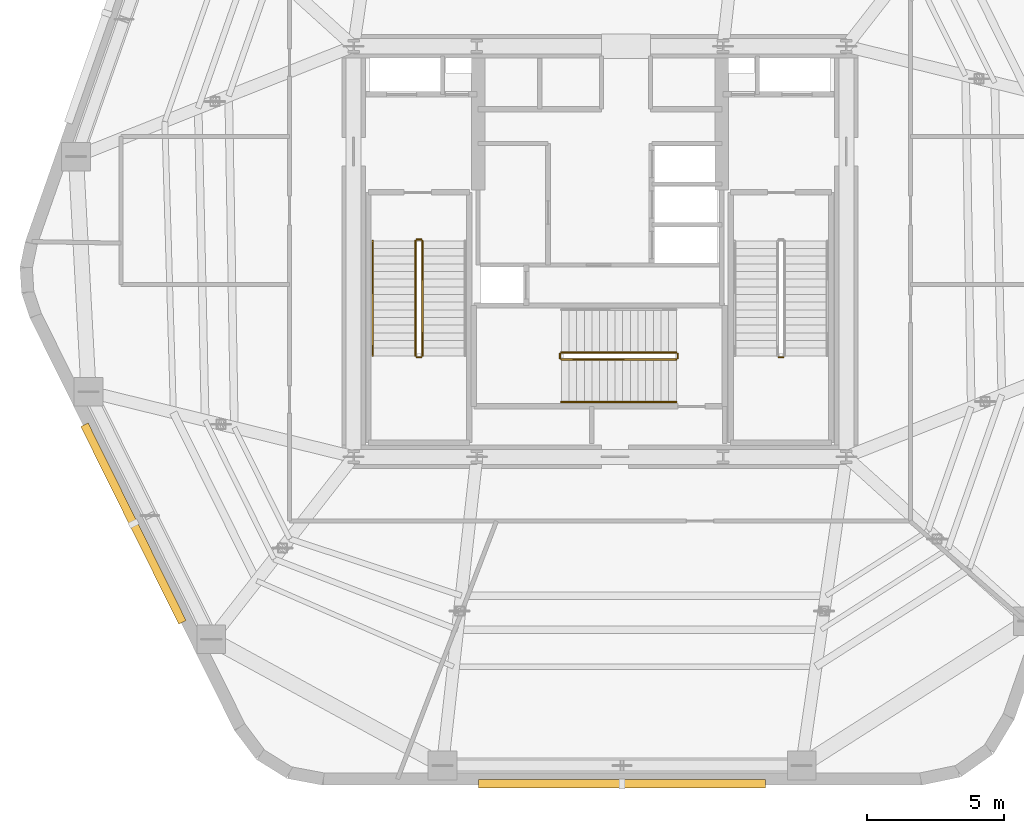
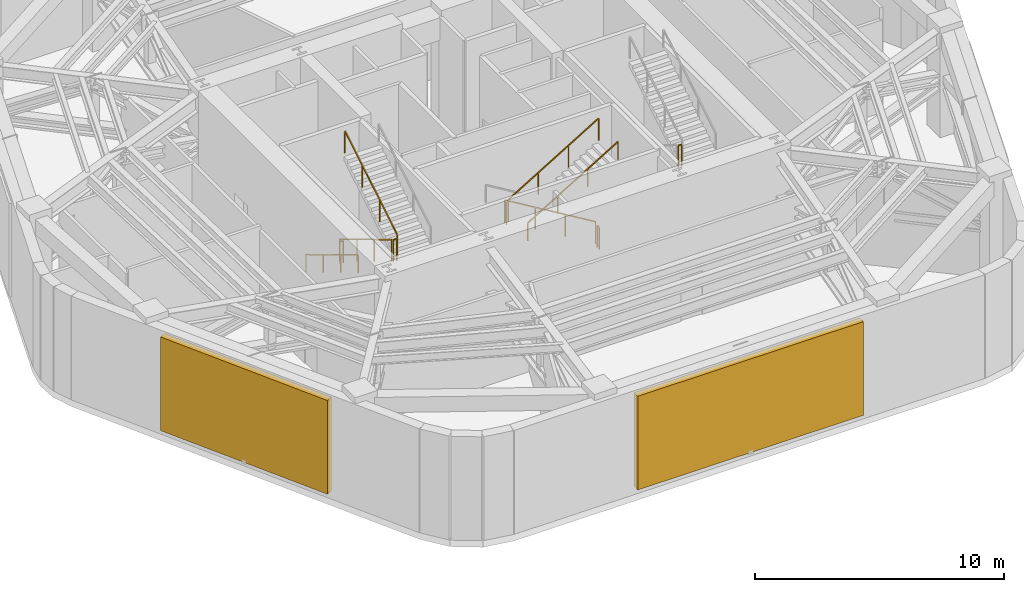
# One storey, part 8 of 10: 11 railings, 2 shading devices.
"""IFC4 building model written with IfcOpenShell, lengths in metres."""

from ifc_helpers import new_model, si_unit, direction, frame, origin, origin_2d, place, context, subcontext, project, spatial, rectangle, extrude, material, layer, layer_set, type_object, element, save


model = new_model("IFC4")

# Units and contexts
model_context = context("Model", 3, precision=1e-05, world=origin(), true_north=direction((0.0, 1.0)))
body_context = subcontext(model_context, "Body", "Model", "MODEL_VIEW")
ifc_project = project(units=[si_unit("LENGTHUNIT", "METRE"), si_unit("AREAUNIT", "SQUARE_METRE"), si_unit("VOLUMEUNIT", "CUBIC_METRE"), si_unit("PLANEANGLEUNIT", "RADIAN"), si_unit("MASSUNIT", "GRAM", prefix="KILO")], contexts=[model_context])

# Site, building, storey
site_placement = place(None, origin())
site = spatial("IfcSite", under=ifc_project, at=site_placement, CompositionType="ELEMENT")
building_placement = place(site_placement, origin())
building = spatial("IfcBuilding", under=site, at=building_placement, Name="Kilnhurst Terrace Hotel", CompositionType="ELEMENT")
storey_placement = place(building_placement, frame((0.0, 0.0, 170.199951171875)))
storey = spatial("IfcBuildingStorey", under=building, at=storey_placement, Name="L42", CompositionType="ELEMENT", Elevation=170.199951171875)

# Railings
ifc_material_1 = material(Name="Powder-Coated Steel ASTM A500 Grade B", Category="steel")
ifc_layer_1 = layer(ifc_material_1, 0.050048828125, Name="Powder-Coated Steel ASTM A500 Grade B")
ifc_layer_set_1 = layer_set([ifc_layer_1], Name="Powder-Coated Steel ASTM A500 Grade B")
railing_type_1 = type_object("IfcRailingType", Name="RLG-ST-GRD-1100", PredefinedType="GUARDRAIL", material=ifc_layer_set_1)
railing_1_placement = place(storey_placement, frame((-6.739990234375, 0.389892578125, 0.168701171875)))
element("IfcRailing", 1, at=railing_1_placement, inside=storey, type_object=railing_type_1, Name="L42 ST-1 stair guard 1", PredefinedType="GUARDRAIL", context=body_context, shape_type="SweptSolid", body=[
    extrude(rectangle(XDim=0.048095703125, YDim=0.048095703125, at=origin_2d()), frame((0.0, 0.0, 1.076171875), z_axis=(0.0, -0.856476492594, 0.516186030065), x_axis=(1.0, 0.0, 0.0)), (0.0, 0.0, 1.0), 4.90380859375),
    extrude(rectangle(XDim=0.0419921875, YDim=0.0419921875, at=origin_2d()), origin(), (0.0, 0.0, 1.0), 1.052001953125),
    extrude(rectangle(XDim=0.0419921875, YDim=0.0419921875, at=origin_2d()), frame((0.0, -1.39990234375, 0.84375)), (0.0, 0.0, 1.0), 1.052001953125),
    extrude(rectangle(XDim=0.0419921875, YDim=0.0419921875, at=origin_2d()), frame((0.0, -2.800048828125, 1.6875)), (0.0, 0.0, 1.0), 1.052001953125),
    extrude(rectangle(XDim=0.0419921875, YDim=0.0419921875, at=origin_2d()), frame((0.0, -4.199951171875, 2.53125)), (0.0, 0.0, 1.0), 1.052001953125),
])
railing_2_placement = place(storey_placement, frame((-6.68994140625, -3.860107421875, 2.699951171875)))
element("IfcRailing", 2, at=railing_2_placement, inside=storey, type_object=railing_type_1, Name="L42 ST-1 stair guard 2", PredefinedType="GUARDRAIL", context=body_context, shape_type="SweptSolid", body=[
    extrude(rectangle(XDim=0.048095703125, YDim=0.048095703125, at=origin_2d()), frame((0.0, 0.0, 1.076171875), z_axis=(1.0, 0.0, 0.0), x_axis=(0.0, 1.0, 0.0)), (0.0, 0.0, 1.0), 0.14990234375),
    extrude(rectangle(XDim=0.0419921875, YDim=0.0419921875, at=origin_2d()), origin(), (0.0, 0.0, 1.0), 1.052001953125),
    extrude(rectangle(XDim=0.0419921875, YDim=0.0419921875, at=origin_2d()), frame((0.14990234375, 0.0, 0.0)), (0.0, 0.0, 1.0), 1.052001953125),
])
railing_3_placement = place(storey_placement, frame((-6.489990234375, -3.81005859375, 2.868896484375)))
element("IfcRailing", 3, at=railing_3_placement, inside=storey, type_object=railing_type_1, Name="L42 ST-1 stair guard 3", PredefinedType="GUARDRAIL", context=body_context, shape_type="SweptSolid", body=[
    extrude(rectangle(XDim=0.048095703125, YDim=0.048095703125, at=origin_2d()), frame((0.0, 0.0, 1.076171875), z_axis=(0.0, 0.856476492594, 0.516186030065), x_axis=(-1.0, 0.0, 0.0)), (0.0, 0.0, 1.0), 4.90380859375),
    extrude(rectangle(XDim=0.0419921875, YDim=0.0419921875, at=origin_2d()), origin(), (0.0, 0.0, 1.0), 1.052001953125),
    extrude(rectangle(XDim=0.0419921875, YDim=0.0419921875, at=origin_2d()), frame((0.0, 1.39990234375, 0.84375)), (0.0, 0.0, 1.0), 1.052001953125),
    extrude(rectangle(XDim=0.0419921875, YDim=0.0419921875, at=origin_2d()), frame((0.0, 2.800048828125, 1.6875)), (0.0, 0.0, 1.0), 1.052001953125),
    extrude(rectangle(XDim=0.0419921875, YDim=0.0419921875, at=origin_2d()), frame((0.0, 4.199951171875, 2.53125)), (0.0, 0.0, 1.0), 1.052001953125),
])
for number, where, name in (
    (4, (-6.68994140625, 0.43994140625, 0.0), "L42 ST-1 stair guard 4"),
    (5, (6.5400390625, -3.860107421875, 2.699951171875), "L42 ST-2 stair guard 2"),
):
    element("IfcRailing", number, at=place(storey_placement, frame(where)), inside=storey, type_object=railing_type_1, Name=name, PredefinedType="GUARDRAIL", context=body_context, shape_type="SweptSolid", body=[
        extrude(rectangle(XDim=0.048095703125, YDim=0.048095703125, at=origin_2d()), frame((0.0, 0.0, 1.076171875), z_axis=(1.0, 0.0, 0.0), x_axis=(0.0, 1.0, 0.0)), (0.0, 0.0, 1.0), 0.14990234375),
        extrude(rectangle(XDim=0.0419921875, YDim=0.0419921875, at=origin_2d()), origin(), (0.0, 0.0, 1.0), 1.052001953125),
        extrude(rectangle(XDim=0.0419921875, YDim=0.0419921875, at=origin_2d()), frame((0.14990234375, 0.0, 0.0)), (0.0, 0.0, 1.0), 1.052001953125),
    ])
railing_4_placement = place(storey_placement, frame((2.7900390625, -3.68994140625, 0.168701171875)))
element("IfcRailing", 6, at=railing_4_placement, inside=storey, type_object=railing_type_1, Name="L42 ST-3 stair guard 1", PredefinedType="GUARDRAIL", context=body_context, shape_type="SweptSolid", body=[
    extrude(rectangle(XDim=0.048095703125, YDim=0.048095703125, at=origin_2d()), frame((0.0, 0.0, 1.076171875), z_axis=(-0.856476492594, 0.0, 0.516186030065), x_axis=(0.0, -1.0, 0.0)), (0.0, 0.0, 1.0), 4.90380859375),
    extrude(rectangle(XDim=0.0419921875, YDim=0.0419921875, at=origin_2d()), origin(), (0.0, 0.0, 1.0), 1.052001953125),
    extrude(rectangle(XDim=0.0419921875, YDim=0.0419921875, at=origin_2d()), frame((-1.39990234375, 0.0, 0.84375)), (0.0, 0.0, 1.0), 1.052001953125),
    extrude(rectangle(XDim=0.0419921875, YDim=0.0419921875, at=origin_2d()), frame((-2.800048828125, 0.0, 1.6875)), (0.0, 0.0, 1.0), 1.052001953125),
    extrude(rectangle(XDim=0.0419921875, YDim=0.0419921875, at=origin_2d()), frame((-4.199951171875, 0.0, 2.53125)), (0.0, 0.0, 1.0), 1.052001953125),
])
railing_5_placement = place(storey_placement, frame((-1.4599609375, -3.739990234375, 2.699951171875)))
element("IfcRailing", 7, at=railing_5_placement, inside=storey, type_object=railing_type_1, Name="L42 ST-3 stair guard 2", PredefinedType="GUARDRAIL", context=body_context, shape_type="SweptSolid", body=[
    extrude(rectangle(XDim=0.048095703125, YDim=0.048095703125, at=origin_2d()), frame((0.0, 0.0, 1.076171875), z_axis=(0.0, -1.0, 0.0), x_axis=(1.0, 0.0, 0.0)), (0.0, 0.0, 1.0), 0.14990234375),
    extrude(rectangle(XDim=0.0419921875, YDim=0.0419921875, at=origin_2d()), origin(), (0.0, 0.0, 1.0), 1.052001953125),
    extrude(rectangle(XDim=0.0419921875, YDim=0.0419921875, at=origin_2d()), frame((0.0, -0.14990234375, 0.0)), (0.0, 0.0, 1.0), 1.052001953125),
])
railing_6_placement = place(storey_placement, frame((-1.409912109375, -3.93994140625, 2.868896484375)))
element("IfcRailing", 8, at=railing_6_placement, inside=storey, type_object=railing_type_1, Name="L42 ST-3 stair guard 3", PredefinedType="GUARDRAIL", context=body_context, shape_type="SweptSolid", body=[
    extrude(rectangle(XDim=0.048095703125, YDim=0.048095703125, at=origin_2d()), frame((0.0, 0.0, 1.076171875), z_axis=(0.856476492594, 0.0, 0.516186030065), x_axis=(0.0, 1.0, 0.0)), (0.0, 0.0, 1.0), 4.90380859375),
    extrude(rectangle(XDim=0.0419921875, YDim=0.0419921875, at=origin_2d()), origin(), (0.0, 0.0, 1.0), 1.052001953125),
    extrude(rectangle(XDim=0.0419921875, YDim=0.0419921875, at=origin_2d()), frame((1.39990234375, 0.0, 0.84375)), (0.0, 0.0, 1.0), 1.052001953125),
    extrude(rectangle(XDim=0.0419921875, YDim=0.0419921875, at=origin_2d()), frame((2.800048828125, 0.0, 1.6875)), (0.0, 0.0, 1.0), 1.052001953125),
    extrude(rectangle(XDim=0.0419921875, YDim=0.0419921875, at=origin_2d()), frame((4.199951171875, 0.0, 2.53125)), (0.0, 0.0, 1.0), 1.052001953125),
])
railing_7_placement = place(storey_placement, frame((2.840087890625, -3.739990234375, 0.0)))
element("IfcRailing", 9, at=railing_7_placement, inside=storey, type_object=railing_type_1, Name="L42 ST-3 stair guard 4", PredefinedType="GUARDRAIL", context=body_context, shape_type="SweptSolid", body=[
    extrude(rectangle(XDim=0.048095703125, YDim=0.048095703125, at=origin_2d()), frame((0.0, 0.0, 1.076171875), z_axis=(0.0, -1.0, 0.0), x_axis=(1.0, 0.0, 0.0)), (0.0, 0.0, 1.0), 0.14990234375),
    extrude(rectangle(XDim=0.0419921875, YDim=0.0419921875, at=origin_2d()), origin(), (0.0, 0.0, 1.0), 1.052001953125),
    extrude(rectangle(XDim=0.0419921875, YDim=0.0419921875, at=origin_2d()), frame((0.0, -0.14990234375, 0.0)), (0.0, 0.0, 1.0), 1.052001953125),
])
ifc_material_2 = material(Name="Brushed Stainless Steel AISI 304", Category="steel")
ifc_layer_2 = layer(ifc_material_2, 0.048095703125, Name="Brushed Stainless Steel AISI 304")
ifc_layer_set_2 = layer_set([ifc_layer_2], Name="Brushed Stainless Steel AISI 304")
railing_type_2 = type_object("IfcRailingType", Name="RLG-ST-HRL-900", PredefinedType="HANDRAIL", material=ifc_layer_set_2)
railing_8_placement = place(storey_placement, frame((-8.300048828125, 0.389892578125, 0.168701171875)))
element("IfcRailing", 10, at=railing_8_placement, inside=storey, type_object=railing_type_2, Name="L42 ST-1 stair handrail 1", PredefinedType="HANDRAIL", context=body_context, shape_type="SweptSolid", body=[
    extrude(rectangle(XDim=0.048095703125, YDim=0.048095703125, at=origin_2d()), frame((0.0, 0.0, 0.8759765625), z_axis=(0.0, -0.856476492594, 0.516186030065), x_axis=(1.0, 0.0, 0.0)), (0.0, 0.0, 1.0), 4.90380859375),
    extrude(rectangle(XDim=0.0419921875, YDim=0.0419921875, at=origin_2d()), origin(), (0.0, 0.0, 1.0), 0.851806640625),
    extrude(rectangle(XDim=0.0419921875, YDim=0.0419921875, at=origin_2d()), frame((0.0, -1.39990234375, 0.84375)), (0.0, 0.0, 1.0), 0.851806640625),
    extrude(rectangle(XDim=0.0419921875, YDim=0.0419921875, at=origin_2d()), frame((0.0, -2.800048828125, 1.6875)), (0.0, 0.0, 1.0), 0.851806640625),
    extrude(rectangle(XDim=0.0419921875, YDim=0.0419921875, at=origin_2d()), frame((0.0, -4.199951171875, 2.53125)), (0.0, 0.0, 1.0), 0.851806640625),
])
railing_9_placement = place(storey_placement, frame((-1.409912109375, -5.5, 2.868896484375)))
element("IfcRailing", 11, at=railing_9_placement, inside=storey, type_object=railing_type_2, Name="L42 ST-3 stair handrail 2", PredefinedType="HANDRAIL", context=body_context, shape_type="SweptSolid", body=[
    extrude(rectangle(XDim=0.048095703125, YDim=0.048095703125, at=origin_2d()), frame((0.0, 0.0, 0.8759765625), z_axis=(0.856476492594, 0.0, 0.516186030065), x_axis=(0.0, 1.0, 0.0)), (0.0, 0.0, 1.0), 4.90380859375),
    extrude(rectangle(XDim=0.0419921875, YDim=0.0419921875, at=origin_2d()), origin(), (0.0, 0.0, 1.0), 0.851806640625),
    extrude(rectangle(XDim=0.0419921875, YDim=0.0419921875, at=origin_2d()), frame((1.39990234375, 0.0, 0.84375)), (0.0, 0.0, 1.0), 0.851806640625),
    extrude(rectangle(XDim=0.0419921875, YDim=0.0419921875, at=origin_2d()), frame((2.800048828125, 0.0, 1.6875)), (0.0, 0.0, 1.0), 0.851806640625),
    extrude(rectangle(XDim=0.0419921875, YDim=0.0419921875, at=origin_2d()), frame((4.199951171875, 0.0, 2.53125)), (0.0, 0.0, 1.0), 0.851806640625),
])

# Shading devices
ifc_material_3 = material(Name="Bronze Anodized Extruded Aluminium Alloy 6063-T6", Category="aluminium")
ifc_layer_3 = layer(ifc_material_3, 0.300048828125, Name="Bronze Anodized Extruded Aluminium Alloy 6063-T6")
ifc_layer_set_3 = layer_set([ifc_layer_3], Name="Bronze Anodized Extruded Aluminium Alloy 6063-T6")
shading_device_type = type_object("IfcShadingDeviceType", Name="SHD-LVR-4600", PredefinedType="USERDEFINED", material=ifc_layer_set_3)
shading_device_1_placement = place(storey_placement, frame((0.8056640625, -19.449951171875, 0.25), z_axis=(0.0, 0.0, 1.0), x_axis=(1.0, 0.0, 0.0)))
element("IfcShadingDevice", 12, at=shading_device_1_placement, inside=storey, type_object=shading_device_type, Name="L42 Mechanical Intake Storm Louvre F1", ObjectType="LOUVRE", PredefinedType="USERDEFINED", context=body_context, shape_type="SweptSolid", body=[
    extrude(rectangle(XDim=10.47802734375, YDim=0.300048828125, at=origin_2d()), origin(), (0.0, 0.0, 1.0), 4.60009765625),
])
shading_device_2_placement = place(storey_placement, frame((-17.047119140625, -9.940185546875, 0.25), z_axis=(0.0, 0.0, 1.0), x_axis=(0.444244308887, -0.895905683664, 0.0)))
element("IfcShadingDevice", 13, at=shading_device_2_placement, inside=storey, type_object=shading_device_type, Name="L42 Mechanical Intake Storm Louvre F6", ObjectType="LOUVRE", PredefinedType="USERDEFINED", context=body_context, shape_type="SweptSolid", body=[
    extrude(rectangle(XDim=8.055908203125, YDim=0.300048828125, at=origin_2d()), origin(), (0.0, 0.0, 1.0), 4.60009765625),
])

save(model, "model.ifc")
